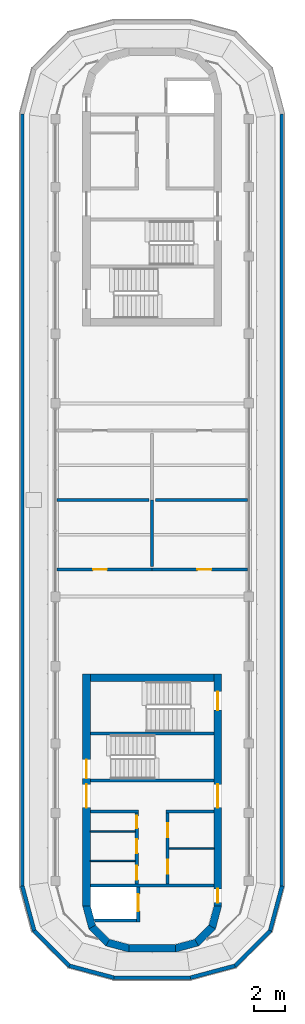
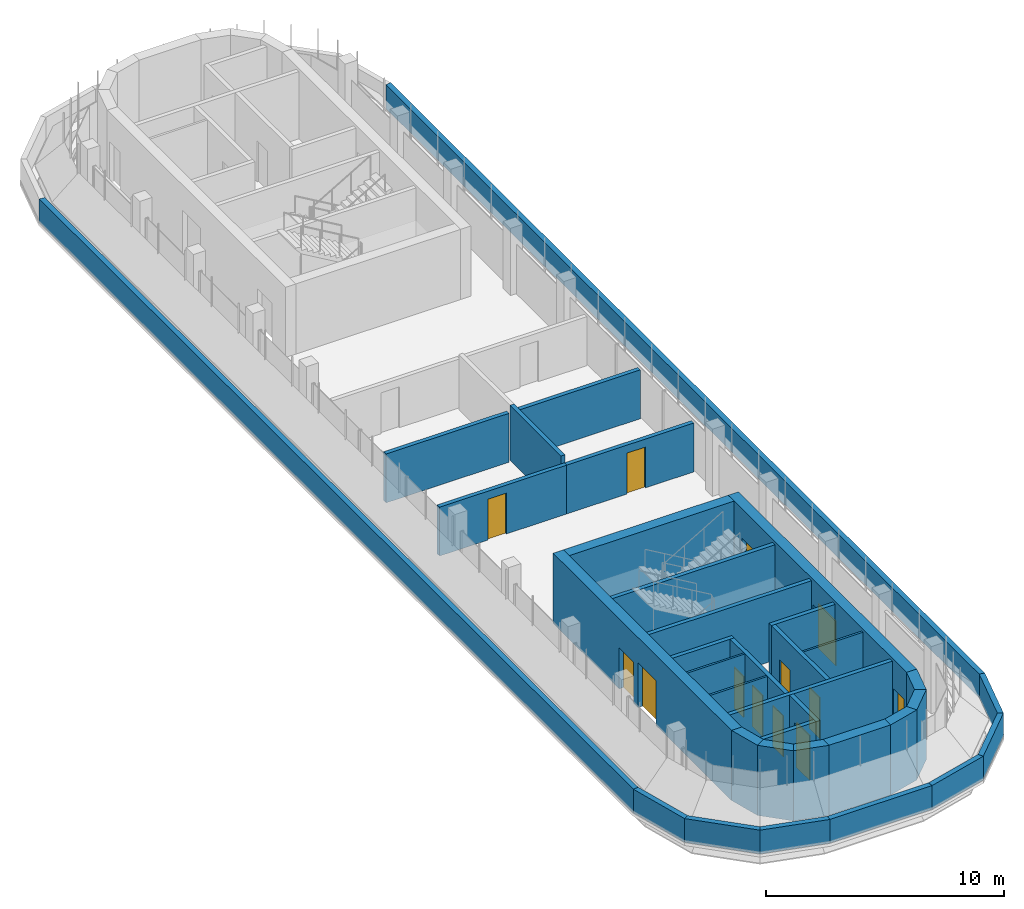
# One storey, part 8 of 12: 36 walls, 13 doors, 13 openings.
"""IFC4 building model written with IfcOpenShell, lengths in metres."""

from ifc_helpers import new_model, si_unit, direction, frame, frame_2d, origin, place, context, subcontext, project, spatial, polyline, rectangle, outline, extrude, material, layer, layer_set, type_object, element, fill, save


model = new_model("IFC4")

# Units and contexts
model_context = context("Model", 3, precision=1e-05, world=origin(), true_north=direction((0.0, 1.0)))
body_context = subcontext(model_context, "Body", "Model", "MODEL_VIEW")
ifc_project = project(units=[si_unit("LENGTHUNIT", "METRE"), si_unit("AREAUNIT", "SQUARE_METRE"), si_unit("VOLUMEUNIT", "CUBIC_METRE"), si_unit("PLANEANGLEUNIT", "RADIAN"), si_unit("MASSUNIT", "GRAM", prefix="KILO")], contexts=[model_context])

# Site, building, storey
site_placement = place(None, origin())
site = spatial("IfcSite", under=ifc_project, at=site_placement, CompositionType="ELEMENT")
building_placement = place(site_placement, origin())
building = spatial("IfcBuilding", under=site, at=building_placement, Name="Zarbagh Exchange Tower", CompositionType="ELEMENT")
storey_placement = place(building_placement, frame((0.0, 0.0, 309.60009765625)))
storey = spatial("IfcBuildingStorey", under=building, at=storey_placement, Name="L76", CompositionType="ELEMENT", Elevation=309.60009765625)

# Walls
ifc_material_1 = material(Name="Dense blockwork", Category="masonry")
ifc_layer_1 = layer(ifc_material_1, 0.10009765625)
ifc_layer_set_1 = layer_set([ifc_layer_1], Name="Core partition 100 mm blockwork")
wall_type_1 = type_object("IfcWallType", Name="Core partition 100 mm blockwork", PredefinedType="PARTITIONING", material=ifc_layer_set_1)
for number, where, z_axis, x_axis, name in (
    (1, (4.0, -22.550048828125, 0.0), (0.0, 0.0, 1.0), (-1.0, 0.0, 0.0), "South core partition wall CUT-W-580"),
    (2, (-1.10009765625, -23.35009765625, 0.0), (0.0, 0.0, 1.0), (-1.0, 0.0, 0.0), "South core partition wall CUT-E-500"),
    (3, (-1.10009765625, -21.449951171875, 0.0), (0.0, 0.0, 1.0), (-1.0, 0.0, 0.0), "South core partition wall CUT-E-690"),
):
    element("IfcWall", number, at=place(storey_placement, frame(where, z_axis=z_axis, x_axis=x_axis)), inside=storey, type_object=wall_type_1, Name=name, PredefinedType="PARTITIONING", context=body_context, shape_type="SweptSolid", body=[
        extrude(rectangle(XDim=2.89990234375, YDim=0.10009765625, at=frame_2d((1.449951171875, 0.0))), origin(), (0.0, 0.0, 1.0), 3.449951171875),
    ])

# Wall, opening, door
ifc_material_2 = material(Name="Concrete block partition", Category="concrete")
ifc_layer_2 = layer(ifc_material_2, 0.199951171875)
ifc_layer_set_2 = layer_set([ifc_layer_2], Name="Fire-rated block partition 200 EI 60")
wall_type_2 = type_object("IfcWallType", Name="Fire-rated block partition 200 EI 60", PredefinedType="PARTITIONING", material=ifc_layer_set_2)
wall_1_placement = place(storey_placement, frame((-6.169921875, -4.5, 0.0), z_axis=(0.0, 0.0, 1.0), x_axis=(1.0, 0.0, 0.0)))
wall_1 = element("IfcWall", 4, at=wall_1_placement, inside=storey, type_object=wall_type_2, Name="WL-L76-W003", PredefinedType="PARTITIONING", context=body_context, shape_type="SweptSolid", body=[
    extrude(rectangle(XDim=6.169921875, YDim=0.199951171875, at=frame_2d((3.0849609375, 0.0))), origin(), (0.0, 0.0, 1.0), 2.510498046875),
])
opening_1_placement = place(wall_1_placement, frame((2.344970703125, 0.0, 0.0)))
opening_1 = element("IfcOpeningElement", 5, at=opening_1_placement, cuts=wall_1, Name="Opening D03", PredefinedType="OPENING", context=body_context, shape_type="SweptSolid", body=[
    extrude(rectangle(XDim=0.89990234375, YDim=2.10009765625, at=frame_2d((0.449951171875, 1.050048828125))), frame((0.0, 0.10986328125, 0.0), z_axis=(0.0, -1.0, 0.0), x_axis=(1.0, 0.0, 0.0)), (0.0, 0.0, 1.0), 0.219970703125),
])
ifc_material_3 = material(Name="Steel door set", Category="steel")
door_type_1 = type_object("IfcDoorType", Name="Door single 900x2100 EI 60", OperationType="SINGLE_SWING_LEFT", PredefinedType="DOOR", material=ifc_material_3)
door_1_placement = place(opening_1_placement, origin())
door_1 = element("IfcDoor", 6, at=door_1_placement, inside=storey, type_object=door_type_1, Name="D03", OperationType="SINGLE_SWING_LEFT", OverallHeight=2.10009765625, OverallWidth=0.89990234375, PredefinedType="DOOR", context=body_context, shape_type="SweptSolid", body=[
    extrude(rectangle(XDim=0.89990234375, YDim=2.10009765625, at=frame_2d((0.449951171875, 1.050048828125))), frame((0.0, 0.02490234375, 0.0), z_axis=(0.0, -1.0, 0.0), x_axis=(1.0, 0.0, 0.0)), (0.0, 0.0, 1.0), 0.050048828125),
])
fill(opening_1, door_1)

wall_2_placement = place(storey_placement, frame((0.0, -4.5, 0.0), z_axis=(0.0, 0.0, 1.0), x_axis=(1.0, 0.0, 0.0)))
wall_2 = element("IfcWall", 7, at=wall_2_placement, inside=storey, type_object=wall_type_2, Name="WL-L76-W004", PredefinedType="PARTITIONING", context=body_context, shape_type="SweptSolid", body=[
    extrude(rectangle(XDim=6.169921875, YDim=0.199951171875, at=frame_2d((3.0849609375, 0.0))), origin(), (0.0, 0.0, 1.0), 2.510498046875),
])
opening_2_placement = place(wall_2_placement, frame((2.925048828125, 0.0, 0.0)))
opening_2 = element("IfcOpeningElement", 8, at=opening_2_placement, cuts=wall_2, Name="Opening D04", PredefinedType="OPENING", context=body_context, shape_type="SweptSolid", body=[
    extrude(rectangle(XDim=0.89990234375, YDim=2.10009765625, at=frame_2d((0.449951171875, 1.050048828125))), frame((0.0, 0.10986328125, 0.0), z_axis=(0.0, -1.0, 0.0), x_axis=(1.0, 0.0, 0.0)), (0.0, 0.0, 1.0), 0.219970703125),
])
door_2_placement = place(opening_2_placement, origin())
door_2 = element("IfcDoor", 9, at=door_2_placement, inside=storey, type_object=door_type_1, Name="D04", OperationType="SINGLE_SWING_LEFT", OverallHeight=2.10009765625, OverallWidth=0.89990234375, PredefinedType="DOOR", context=body_context, shape_type="SweptSolid", body=[
    extrude(rectangle(XDim=0.89990234375, YDim=2.10009765625, at=frame_2d((0.449951171875, 1.050048828125))), frame((0.0, 0.02490234375, 0.0), z_axis=(0.0, -1.0, 0.0), x_axis=(1.0, 0.0, 0.0)), (0.0, 0.0, 1.0), 0.050048828125),
])
fill(opening_2, door_2)

# Walls
for number, where, z_axis, x_axis, name in (
    (10, (-0.199951171875, 0.0, 0.0), (0.0, 0.0, 1.0), (-1.0, 0.0, 0.0), "WL-L76-W006"),
    (11, (6.169921875, 0.0, 0.0), (0.0, 0.0, 1.0), (-1.0, 0.0, 0.0), "WL-L76-W007"),
):
    element("IfcWall", number, at=place(storey_placement, frame(where, z_axis=z_axis, x_axis=x_axis)), inside=storey, type_object=wall_type_2, Name=name, PredefinedType="PARTITIONING", context=body_context, shape_type="SweptSolid", body=[
        extrude(rectangle(XDim=5.969970703125, YDim=0.199951171875, at=frame_2d((2.98486328125, 0.0))), origin(), (0.0, 0.0, 1.0), 2.510498046875),
    ])
wall_3_placement = place(storey_placement, frame((0.0, 0.0, 0.0), z_axis=(0.0, 0.0, 1.0), x_axis=(0.0, -1.0, 0.0)))
element("IfcWall", 12, at=wall_3_placement, inside=storey, type_object=wall_type_2, Name="WL-L76-W008", PredefinedType="PARTITIONING", context=body_context, shape_type="SweptSolid", body=[
    extrude(rectangle(XDim=4.300048828125, YDim=0.199951171875, at=frame_2d((2.14990234375, 0.0))), origin(), (0.0, 0.0, 1.0), 2.827880859375),
])
ifc_material_4 = material(Name="Concrete C40/50", Category="concrete")
ifc_layer_3 = layer(ifc_material_4, 0.25)
ifc_layer_set_3 = layer_set([ifc_layer_3], Name="Parapet wall, concrete C40/50")
wall_type_3 = type_object("IfcWallType", Name="Parapet wall, concrete C40/50", PredefinedType="PARAPET", material=ifc_layer_set_3)
wall_4_placement = place(storey_placement, origin())
element("IfcWall", 13, at=wall_4_placement, inside=storey, type_object=wall_type_3, Name="roof parapet", PredefinedType="PARAPET", context=body_context, shape_type="SweptSolid", body=[
    extrude(outline(polyline([(-2.484375, -31.030029296875), (-5.42138671875, -30.242919921875), (-5.2919921875, -30.018798828125), (-2.451416015625, -30.780029296875), (-2.484375, -31.030029296875)])), origin(), (0.0, 0.0, 1.0), 1.219970703125),
])
wall_5_placement = place(storey_placement, origin())
element("IfcWall", 14, at=wall_5_placement, inside=storey, type_object=wall_type_3, Name="roof parapet", PredefinedType="PARAPET", context=body_context, shape_type="SweptSolid", body=[
    extrude(outline(polyline([(-5.42138671875, -30.242919921875), (-7.742919921875, -27.92138671875), (-7.518798828125, -27.7919921875), (-5.2919921875, -30.018798828125), (-5.42138671875, -30.242919921875)])), origin(), (0.0, 0.0, 1.0), 1.219970703125),
])
wall_6_placement = place(storey_placement, origin())
element("IfcWall", 15, at=wall_6_placement, inside=storey, type_object=wall_type_3, Name="roof parapet", PredefinedType="PARAPET", context=body_context, shape_type="SweptSolid", body=[
    extrude(outline(polyline([(-7.742919921875, -27.92138671875), (-8.530029296875, -24.984375), (-8.280029296875, -24.951416015625), (-7.518798828125, -27.7919921875), (-7.742919921875, -27.92138671875)])), origin(), (0.0, 0.0, 1.0), 1.219970703125),
])
wall_7_placement = place(storey_placement, origin())
element("IfcWall", 16, at=wall_7_placement, inside=storey, type_object=wall_type_3, Name="roof parapet", PredefinedType="PARAPET", context=body_context, shape_type="SweptSolid", body=[
    extrude(outline(polyline([(-8.530029296875, -24.984375), (-8.530029296875, 24.984375), (-8.280029296875, 24.951416015625), (-8.280029296875, -24.951416015625), (-8.530029296875, -24.984375)])), origin(), (0.0, 0.0, 1.0), 1.219970703125),
])
wall_8_placement = place(storey_placement, origin())
element("IfcWall", 17, at=wall_8_placement, inside=storey, type_object=wall_type_3, Name="roof parapet", PredefinedType="PARAPET", context=body_context, shape_type="SweptSolid", body=[
    extrude(outline(polyline([(8.530029296875, 24.984375), (8.530029296875, -24.984375), (8.280029296875, -24.951416015625), (8.280029296875, 24.951416015625), (8.530029296875, 24.984375)])), origin(), (0.0, 0.0, 1.0), 1.219970703125),
])
wall_9_placement = place(storey_placement, origin())
element("IfcWall", 18, at=wall_9_placement, inside=storey, type_object=wall_type_3, Name="roof parapet", PredefinedType="PARAPET", context=body_context, shape_type="SweptSolid", body=[
    extrude(outline(polyline([(8.530029296875, -24.984375), (7.742919921875, -27.92138671875), (7.518798828125, -27.7919921875), (8.280029296875, -24.951416015625), (8.530029296875, -24.984375)])), origin(), (0.0, 0.0, 1.0), 1.219970703125),
])
wall_10_placement = place(storey_placement, origin())
element("IfcWall", 19, at=wall_10_placement, inside=storey, type_object=wall_type_3, Name="roof parapet", PredefinedType="PARAPET", context=body_context, shape_type="SweptSolid", body=[
    extrude(outline(polyline([(7.742919921875, -27.92138671875), (5.42138671875, -30.242919921875), (5.2919921875, -30.018798828125), (7.518798828125, -27.7919921875), (7.742919921875, -27.92138671875)])), origin(), (0.0, 0.0, 1.0), 1.219970703125),
])
wall_11_placement = place(storey_placement, origin())
element("IfcWall", 20, at=wall_11_placement, inside=storey, type_object=wall_type_3, Name="roof parapet", PredefinedType="PARAPET", context=body_context, shape_type="SweptSolid", body=[
    extrude(outline(polyline([(5.42138671875, -30.242919921875), (2.484375, -31.030029296875), (2.451416015625, -30.780029296875), (5.2919921875, -30.018798828125), (5.42138671875, -30.242919921875)])), origin(), (0.0, 0.0, 1.0), 1.219970703125),
])
wall_12_placement = place(storey_placement, origin())
element("IfcWall", 21, at=wall_12_placement, inside=storey, type_object=wall_type_3, Name="roof parapet", PredefinedType="PARAPET", context=body_context, shape_type="SweptSolid", body=[
    extrude(outline(polyline([(2.484375, -31.030029296875), (-2.484375, -31.030029296875), (-2.451416015625, -30.780029296875), (2.451416015625, -30.780029296875), (2.484375, -31.030029296875)])), origin(), (0.0, 0.0, 1.0), 1.219970703125),
])
ifc_layer_4 = layer(ifc_material_4, 0.5)
ifc_layer_set_4 = layer_set([ifc_layer_4], Name="RC core corner wall 500 C40/50")
wall_type_4 = type_object("IfcWallType", Name="RC core corner wall 500 C40/50", PredefinedType="SHEAR", material=ifc_layer_set_4)
wall_13_placement = place(storey_placement, origin())
element("IfcWall", 22, at=wall_13_placement, inside=storey, type_object=wall_type_4, Name="CW10 core S corner W", PredefinedType="SHEAR", context=body_context, shape_type="SweptSolid", body=[
    extrude(outline(polyline([(-4.5, -26.25), (-4.09814453125, -27.75), (-3.6650390625, -27.5), (-4.0, -26.25), (-4.5, -26.25)])), origin(), (0.0, 0.0, 1.0), 3.599853515625),
])
wall_14_placement = place(storey_placement, origin())
element("IfcWall", 23, at=wall_14_placement, inside=storey, type_object=wall_type_4, Name="CW10 core S corner W", PredefinedType="SHEAR", context=body_context, shape_type="SweptSolid", body=[
    extrude(outline(polyline([(-4.09814453125, -27.75), (-3.0, -28.84814453125), (-2.75, -28.4150390625), (-3.6650390625, -27.5), (-4.09814453125, -27.75)])), origin(), (0.0, 0.0, 1.0), 3.599853515625),
])
wall_15_placement = place(storey_placement, origin())
element("IfcWall", 24, at=wall_15_placement, inside=storey, type_object=wall_type_4, Name="CW10 core S corner W", PredefinedType="SHEAR", context=body_context, shape_type="SweptSolid", body=[
    extrude(outline(polyline([(-3.0, -28.84814453125), (-1.5, -29.25), (-1.5, -28.75), (-2.75, -28.4150390625), (-3.0, -28.84814453125)])), origin(), (0.0, 0.0, 1.0), 3.599853515625),
])
wall_16_placement = place(storey_placement, origin())
element("IfcWall", 25, at=wall_16_placement, inside=storey, type_object=wall_type_4, Name="CW10 core S corner E", PredefinedType="SHEAR", context=body_context, shape_type="SweptSolid", body=[
    extrude(outline(polyline([(4.5, -26.25), (4.09814453125, -27.75), (3.6650390625, -27.5), (4.0, -26.25), (4.5, -26.25)])), origin(), (0.0, 0.0, 1.0), 3.599853515625),
])
wall_17_placement = place(storey_placement, origin())
element("IfcWall", 26, at=wall_17_placement, inside=storey, type_object=wall_type_4, Name="CW10 core S corner E", PredefinedType="SHEAR", context=body_context, shape_type="SweptSolid", body=[
    extrude(outline(polyline([(4.09814453125, -27.75), (3.0, -28.84814453125), (2.75, -28.4150390625), (3.6650390625, -27.5), (4.09814453125, -27.75)])), origin(), (0.0, 0.0, 1.0), 3.599853515625),
])
wall_18_placement = place(storey_placement, origin())
element("IfcWall", 27, at=wall_18_placement, inside=storey, type_object=wall_type_4, Name="CW10 core S corner E", PredefinedType="SHEAR", context=body_context, shape_type="SweptSolid", body=[
    extrude(outline(polyline([(3.0, -28.84814453125), (1.5, -29.25), (1.5, -28.75), (2.75, -28.4150390625), (3.0, -28.84814453125)])), origin(), (0.0, 0.0, 1.0), 3.599853515625),
])

# Wall, openings, doors
ifc_layer_5 = layer(ifc_material_4, 0.5)
ifc_layer_set_5 = layer_set([ifc_layer_5], Name="RC core wall 500 C40/50")
wall_type_5 = type_object("IfcWallType", Name="RC core wall 500 C40/50", PredefinedType="SHEAR", material=ifc_layer_set_5)
wall_19_placement = place(storey_placement, frame((-4.25, -11.25, 0.0), z_axis=(0.0, 0.0, 1.0), x_axis=(0.0, -1.0, 0.0)))
wall_19 = element("IfcWall", 28, at=wall_19_placement, inside=storey, type_object=wall_type_5, Name="CW9 core S W", PredefinedType="SHEAR", context=body_context, shape_type="SweptSolid", body=[
    extrude(rectangle(XDim=15.0, YDim=0.5, at=frame_2d((7.5, 0.0))), origin(), (0.0, 0.0, 1.0), 3.599853515625),
])
opening_3_placement = place(wall_19_placement, frame((7.14990234375, 0.0, 0.0)))
opening_3 = element("IfcOpeningElement", 29, at=opening_3_placement, cuts=wall_19, Name="Opening CD1-1500", PredefinedType="OPENING", context=body_context, shape_type="SweptSolid", body=[
    extrude(rectangle(XDim=1.5, YDim=2.300048828125, at=frame_2d((0.75, 1.14990234375))), frame((0.0, 0.260009765625, 0.0), z_axis=(0.0, -1.0, 0.0), x_axis=(1.0, 0.0, 0.0)), (0.0, 0.0, 1.0), 0.52001953125),
])
opening_4_placement = place(wall_19_placement, frame((5.550048828125, 0.0, 0.0)))
opening_4 = element("IfcOpeningElement", 30, at=opening_4_placement, cuts=wall_19, Name="Opening SD1-1200", PredefinedType="OPENING", context=body_context, shape_type="SweptSolid", body=[
    extrude(rectangle(XDim=1.199951171875, YDim=2.10009765625, at=frame_2d((0.60009765625, 1.050048828125))), frame((0.0, 0.260009765625, 0.0), z_axis=(0.0, -1.0, 0.0), x_axis=(1.0, 0.0, 0.0)), (0.0, 0.0, 1.0), 0.52001953125),
])
ifc_material_5 = material(Name="Steel", Category="steel")
door_type_2 = type_object("IfcDoorType", Name="Exit stair door 1200 x 2100", OperationType="NOTDEFINED", PredefinedType="DOOR", material=ifc_material_5)
door_3_placement = place(opening_4_placement, origin())
door_3 = element("IfcDoor", 31, at=door_3_placement, inside=storey, type_object=door_type_2, Name="South core stair door ST1", OperationType="SINGLE_SWING_LEFT", OverallHeight=2.10009765625, OverallWidth=1.199951171875, PredefinedType="DOOR", context=body_context, shape_type="SweptSolid", body=[
    extrude(rectangle(XDim=1.199951171875, YDim=2.10009765625, at=frame_2d((0.60009765625, 1.050048828125))), frame((0.0, 0.02490234375, 0.0), z_axis=(0.0, -1.0, 0.0), x_axis=(1.0, 0.0, 0.0)), (0.0, 0.0, 1.0), 0.050048828125),
])
fill(opening_4, door_3)
door_type_3 = type_object("IfcDoorType", Name="Lift lobby double door 1500 x 2300", OperationType="NOTDEFINED", PredefinedType="DOOR", material=ifc_material_5)
door_4_placement = place(opening_3_placement, origin())
door_4 = element("IfcDoor", 32, at=door_4_placement, inside=storey, type_object=door_type_3, Name="South core lift lobby door LOBBY-E", OperationType="DOUBLE_DOOR_SINGLE_SWING", OverallHeight=2.300048828125, OverallWidth=1.5, PredefinedType="DOOR", context=body_context, shape_type="SweptSolid", body=[
    extrude(rectangle(XDim=1.5, YDim=2.300048828125, at=frame_2d((0.75, 1.14990234375))), frame((0.0, 0.02490234375, 0.0), z_axis=(0.0, -1.0, 0.0), x_axis=(1.0, 0.0, 0.0)), (0.0, 0.0, 1.0), 0.050048828125),
])
fill(opening_3, door_4)

wall_20_placement = place(storey_placement, frame((4.25, -11.25, 0.0), z_axis=(0.0, 0.0, 1.0), x_axis=(0.0, -1.0, 0.0)))
wall_20 = element("IfcWall", 33, at=wall_20_placement, inside=storey, type_object=wall_type_5, Name="CW9 core S E", PredefinedType="SHEAR", context=body_context, shape_type="SweptSolid", body=[
    extrude(rectangle(XDim=15.0, YDim=0.5, at=frame_2d((7.5, 0.0))), origin(), (0.0, 0.0, 1.0), 3.599853515625),
])
opening_5_placement = place(wall_20_placement, frame((7.14990234375, 0.0, 0.0)))
opening_5 = element("IfcOpeningElement", 34, at=opening_5_placement, cuts=wall_20, Name="Opening CD1-1500", PredefinedType="OPENING", context=body_context, shape_type="SweptSolid", body=[
    extrude(rectangle(XDim=1.5, YDim=2.300048828125, at=frame_2d((0.75, 1.14990234375))), frame((0.0, 0.260009765625, 0.0), z_axis=(0.0, -1.0, 0.0), x_axis=(1.0, 0.0, 0.0)), (0.0, 0.0, 1.0), 0.52001953125),
])
opening_6_placement = place(wall_20_placement, frame((13.89990234375, 0.0, 0.0)))
opening_6 = element("IfcOpeningElement", 35, at=opening_6_placement, cuts=wall_20, Name="Opening CD2-900", PredefinedType="OPENING", context=body_context, shape_type="SweptSolid", body=[
    extrude(rectangle(XDim=0.89990234375, YDim=2.10009765625, at=frame_2d((0.449951171875, 1.050048828125))), frame((0.0, 0.260009765625, 0.0), z_axis=(0.0, -1.0, 0.0), x_axis=(1.0, 0.0, 0.0)), (0.0, 0.0, 1.0), 0.52001953125),
])
opening_7_placement = place(wall_20_placement, frame((1.14990234375, 0.0, 0.0)))
opening_7 = element("IfcOpeningElement", 36, at=opening_7_placement, cuts=wall_20, Name="Opening SD1-1200", PredefinedType="OPENING", context=body_context, shape_type="SweptSolid", body=[
    extrude(rectangle(XDim=1.199951171875, YDim=2.10009765625, at=frame_2d((0.60009765625, 1.050048828125))), frame((0.0, 0.260009765625, 0.0), z_axis=(0.0, -1.0, 0.0), x_axis=(1.0, 0.0, 0.0)), (0.0, 0.0, 1.0), 0.52001953125),
])
door_5_placement = place(opening_7_placement, origin())
door_5 = element("IfcDoor", 37, at=door_5_placement, inside=storey, type_object=door_type_2, Name="South core stair door ST2", OperationType="SINGLE_SWING_LEFT", OverallHeight=2.10009765625, OverallWidth=1.199951171875, PredefinedType="DOOR", context=body_context, shape_type="SweptSolid", body=[
    extrude(rectangle(XDim=1.199951171875, YDim=2.10009765625, at=frame_2d((0.60009765625, 1.050048828125))), frame((0.0, 0.02490234375, 0.0), z_axis=(0.0, -1.0, 0.0), x_axis=(1.0, 0.0, 0.0)), (0.0, 0.0, 1.0), 0.050048828125),
])
fill(opening_7, door_5)
door_type_4 = type_object("IfcDoorType", Name="Firefighting lobby door 900 x 2100", OperationType="NOTDEFINED", PredefinedType="DOOR", material=ifc_material_5)
door_6_placement = place(opening_6_placement, origin())
door_6 = element("IfcDoor", 38, at=door_6_placement, inside=storey, type_object=door_type_4, Name="South core firefighting lobby door FF-W", OperationType="SINGLE_SWING_RIGHT", OverallHeight=2.10009765625, OverallWidth=0.89990234375, PredefinedType="DOOR", context=body_context, shape_type="SweptSolid", body=[
    extrude(rectangle(XDim=0.89990234375, YDim=2.10009765625, at=frame_2d((0.449951171875, 1.050048828125))), frame((0.0, 0.02490234375, 0.0), z_axis=(0.0, -1.0, 0.0), x_axis=(1.0, 0.0, 0.0)), (0.0, 0.0, 1.0), 0.050048828125),
])
fill(opening_6, door_6)
door_7_placement = place(opening_5_placement, origin())
door_7 = element("IfcDoor", 39, at=door_7_placement, inside=storey, type_object=door_type_3, Name="South core lift lobby door LOBBY-W", OperationType="DOUBLE_DOOR_SINGLE_SWING", OverallHeight=2.300048828125, OverallWidth=1.5, PredefinedType="DOOR", context=body_context, shape_type="SweptSolid", body=[
    extrude(rectangle(XDim=1.5, YDim=2.300048828125, at=frame_2d((0.75, 1.14990234375))), frame((0.0, 0.02490234375, 0.0), z_axis=(0.0, -1.0, 0.0), x_axis=(1.0, 0.0, 0.0)), (0.0, 0.0, 1.0), 0.050048828125),
])
fill(opening_5, door_7)

# Walls
wall_21_placement = place(storey_placement, frame((-4.0, -11.5, 0.0), z_axis=(0.0, 0.0, 1.0), x_axis=(1.0, 0.0, 0.0)))
element("IfcWall", 40, at=wall_21_placement, inside=storey, type_object=wall_type_5, Name="CW9 core S inner end", PredefinedType="SHEAR", context=body_context, shape_type="SweptSolid", body=[
    extrude(rectangle(XDim=8.0, YDim=0.5, at=frame_2d((4.0, 0.0))), origin(), (0.0, 0.0, 1.0), 3.599853515625),
])
wall_22_placement = place(storey_placement, frame((-1.5, -29.0, 0.0), z_axis=(0.0, 0.0, 1.0), x_axis=(1.0, 0.0, 0.0)))
element("IfcWall", 41, at=wall_22_placement, inside=storey, type_object=wall_type_5, Name="CW9 core S outer end", PredefinedType="SHEAR", context=body_context, shape_type="SweptSolid", body=[
    extrude(rectangle(XDim=3.0, YDim=0.5, at=frame_2d((1.5, 0.0))), origin(), (0.0, 0.0, 1.0), 3.599853515625),
])
ifc_layer_6 = layer(ifc_material_1, 0.199951171875)
ifc_layer_set_6 = layer_set([ifc_layer_6], Name="Shaft wall 200 mm blockwork")
wall_type_6 = type_object("IfcWallType", Name="Shaft wall 200 mm blockwork", PredefinedType="PARTITIONING", material=ifc_layer_set_6)
wall_23_placement = place(storey_placement, frame((4.0, -20.14990234375, 0.0), z_axis=(0.0, 0.0, 1.0), x_axis=(-1.0, 0.0, 0.0)))
element("IfcWall", 42, at=wall_23_placement, inside=storey, type_object=wall_type_6, Name="South core shaft wall AB-W", PredefinedType="PARTITIONING", context=body_context, shape_type="SweptSolid", body=[
    extrude(rectangle(XDim=3.10009765625, YDim=0.199951171875, at=frame_2d((1.550048828125, 0.0))), origin(), (0.0, 0.0, 1.0), 3.449951171875),
])

# Wall, openings, doors
wall_24_placement = place(storey_placement, frame((1.0, -24.85009765625, 0.0), z_axis=(0.0, 0.0, 1.0), x_axis=(0.0, 1.0, 0.0)))
wall_24 = element("IfcWall", 43, at=wall_24_placement, inside=storey, type_object=wall_type_6, Name="South core shaft wall LW-W", PredefinedType="PARTITIONING", context=body_context, shape_type="SweptSolid", body=[
    extrude(rectangle(XDim=4.60009765625, YDim=0.199951171875, at=frame_2d((2.300048828125, 0.0))), origin(), (0.0, 0.0, 1.0), 3.449951171875),
])
opening_8_placement = place(wall_24_placement, frame((0.675048828125, 0.0, 0.0)))
opening_8 = element("IfcOpeningElement", 44, at=opening_8_placement, cuts=wall_24, Name="Opening CD3-900", PredefinedType="OPENING", context=body_context, shape_type="SweptSolid", body=[
    extrude(rectangle(XDim=0.89990234375, YDim=2.10009765625, at=frame_2d((0.449951171875, 1.050048828125))), frame((0.0, 0.10986328125, 0.0), z_axis=(0.0, -1.0, 0.0), x_axis=(1.0, 0.0, 0.0)), (0.0, 0.0, 1.0), 0.219970703125),
])
opening_9_placement = place(wall_24_placement, frame((3.02490234375, 0.0, 0.0)))
opening_9 = element("IfcOpeningElement", 45, at=opening_9_placement, cuts=wall_24, Name="Opening CD3-900", PredefinedType="OPENING", context=body_context, shape_type="SweptSolid", body=[
    extrude(rectangle(XDim=0.89990234375, YDim=2.10009765625, at=frame_2d((0.449951171875, 1.050048828125))), frame((0.0, 0.10986328125, 0.0), z_axis=(0.0, -1.0, 0.0), x_axis=(1.0, 0.0, 0.0)), (0.0, 0.0, 1.0), 0.219970703125),
])
door_type_5 = type_object("IfcDoorType", Name="Core room door 900 x 2100", OperationType="NOTDEFINED", PredefinedType="DOOR", material=ifc_material_5)
door_8_placement = place(opening_8_placement, origin())
door_8 = element("IfcDoor", 46, at=door_8_placement, inside=storey, type_object=door_type_5, Name="South core Plant room door RD-W-0", OperationType="SINGLE_SWING_RIGHT", OverallHeight=2.10009765625, OverallWidth=0.89990234375, PredefinedType="DOOR", context=body_context, shape_type="SweptSolid", body=[
    extrude(rectangle(XDim=0.89990234375, YDim=2.10009765625, at=frame_2d((0.449951171875, 1.050048828125))), frame((0.0, 0.02490234375, 0.0), z_axis=(0.0, -1.0, 0.0), x_axis=(1.0, 0.0, 0.0)), (0.0, 0.0, 1.0), 0.050048828125),
])
fill(opening_8, door_8)
door_9_placement = place(opening_9_placement, origin())
door_9 = element("IfcDoor", 47, at=door_9_placement, inside=storey, type_object=door_type_5, Name="South core Switch room door RD-W-1", OperationType="SINGLE_SWING_LEFT", OverallHeight=2.10009765625, OverallWidth=0.89990234375, PredefinedType="DOOR", context=body_context, shape_type="SweptSolid", body=[
    extrude(rectangle(XDim=0.89990234375, YDim=2.10009765625, at=frame_2d((0.449951171875, 1.050048828125))), frame((0.0, 0.02490234375, 0.0), z_axis=(0.0, -1.0, 0.0), x_axis=(1.0, 0.0, 0.0)), (0.0, 0.0, 1.0), 0.050048828125),
])
fill(opening_9, door_9)

# Wall
wall_25_placement = place(storey_placement, frame((-0.89990234375, -20.14990234375, 0.0), z_axis=(0.0, 0.0, 1.0), x_axis=(-1.0, 0.0, 0.0)))
element("IfcWall", 48, at=wall_25_placement, inside=storey, type_object=wall_type_6, Name="South core shaft wall AB-E", PredefinedType="PARTITIONING", context=body_context, shape_type="SweptSolid", body=[
    extrude(rectangle(XDim=3.10009765625, YDim=0.199951171875, at=frame_2d((1.550048828125, 0.0))), origin(), (0.0, 0.0, 1.0), 3.449951171875),
])

# Wall, openings, doors
wall_26_placement = place(storey_placement, frame((-1.0, -24.85009765625, 0.0), z_axis=(0.0, 0.0, 1.0), x_axis=(0.0, 1.0, 0.0)))
wall_26 = element("IfcWall", 49, at=wall_26_placement, inside=storey, type_object=wall_type_6, Name="South core shaft wall LW-E", PredefinedType="PARTITIONING", context=body_context, shape_type="SweptSolid", body=[
    extrude(rectangle(XDim=4.60009765625, YDim=0.199951171875, at=frame_2d((2.300048828125, 0.0))), origin(), (0.0, 0.0, 1.0), 3.449951171875),
])
opening_10_placement = place(wall_26_placement, frame((0.27490234375, 0.0, 0.0)))
opening_10 = element("IfcOpeningElement", 50, at=opening_10_placement, cuts=wall_26, Name="Opening CD3-900", PredefinedType="OPENING", context=body_context, shape_type="SweptSolid", body=[
    extrude(rectangle(XDim=0.89990234375, YDim=2.10009765625, at=frame_2d((0.449951171875, 1.050048828125))), frame((0.0, 0.10986328125, 0.0), z_axis=(0.0, -1.0, 0.0), x_axis=(1.0, 0.0, 0.0)), (0.0, 0.0, 1.0), 0.219970703125),
])
opening_11_placement = place(wall_26_placement, frame((2.0, 0.0, 0.0)))
opening_11 = element("IfcOpeningElement", 51, at=opening_11_placement, cuts=wall_26, Name="Opening CD3-900", PredefinedType="OPENING", context=body_context, shape_type="SweptSolid", body=[
    extrude(rectangle(XDim=0.89990234375, YDim=2.10009765625, at=frame_2d((0.449951171875, 1.050048828125))), frame((0.0, 0.10986328125, 0.0), z_axis=(0.0, -1.0, 0.0), x_axis=(1.0, 0.0, 0.0)), (0.0, 0.0, 1.0), 0.219970703125),
])
opening_12_placement = place(wall_26_placement, frame((3.625, 0.0, 0.0)))
opening_12 = element("IfcOpeningElement", 52, at=opening_12_placement, cuts=wall_26, Name="Opening CD3-800", PredefinedType="OPENING", context=body_context, shape_type="SweptSolid", body=[
    extrude(rectangle(XDim=0.800048828125, YDim=2.10009765625, at=frame_2d((0.39990234375, 1.050048828125))), frame((0.0, 0.10986328125, 0.0), z_axis=(0.0, -1.0, 0.0), x_axis=(1.0, 0.0, 0.0)), (0.0, 0.0, 1.0), 0.219970703125),
])
door_type_6 = type_object("IfcDoorType", Name="Core room door 800 x 2100", OperationType="NOTDEFINED", PredefinedType="DOOR", material=ifc_material_5)
door_10_placement = place(opening_12_placement, origin())
door_10 = element("IfcDoor", 53, at=door_10_placement, inside=storey, type_object=door_type_6, Name="South core Control room door RD-E-2", OperationType="SINGLE_SWING_LEFT", OverallHeight=2.10009765625, OverallWidth=0.800048828125, PredefinedType="DOOR", context=body_context, shape_type="SweptSolid", body=[
    extrude(rectangle(XDim=0.800048828125, YDim=2.10009765625, at=frame_2d((0.39990234375, 1.050048828125))), frame((0.0, 0.02490234375, 0.0), z_axis=(0.0, -1.0, 0.0), x_axis=(1.0, 0.0, 0.0)), (0.0, 0.0, 1.0), 0.050048828125),
])
fill(opening_12, door_10)
door_11_placement = place(opening_10_placement, origin())
door_11 = element("IfcDoor", 54, at=door_11_placement, inside=storey, type_object=door_type_5, Name="South core Mechanical store door RD-E-0", OperationType="SINGLE_SWING_RIGHT", OverallHeight=2.10009765625, OverallWidth=0.89990234375, PredefinedType="DOOR", context=body_context, shape_type="SweptSolid", body=[
    extrude(rectangle(XDim=0.89990234375, YDim=2.10009765625, at=frame_2d((0.449951171875, 1.050048828125))), frame((0.0, 0.02490234375, 0.0), z_axis=(0.0, -1.0, 0.0), x_axis=(1.0, 0.0, 0.0)), (0.0, 0.0, 1.0), 0.050048828125),
])
fill(opening_10, door_11)
door_12_placement = place(opening_11_placement, origin())
door_12 = element("IfcDoor", 55, at=door_12_placement, inside=storey, type_object=door_type_5, Name="South core Plant room door RD-E-1", OperationType="SINGLE_SWING_RIGHT", OverallHeight=2.10009765625, OverallWidth=0.89990234375, PredefinedType="DOOR", context=body_context, shape_type="SweptSolid", body=[
    extrude(rectangle(XDim=0.89990234375, YDim=2.10009765625, at=frame_2d((0.449951171875, 1.050048828125))), frame((0.0, 0.02490234375, 0.0), z_axis=(0.0, -1.0, 0.0), x_axis=(1.0, 0.0, 0.0)), (0.0, 0.0, 1.0), 0.050048828125),
])
fill(opening_11, door_12)

# Wall
ifc_layer_7 = layer(ifc_material_4, 0.199951171875)
ifc_layer_set_7 = layer_set([ifc_layer_7], Name="Stair enclosure wall 200 mm RC C40/50")
wall_type_7 = type_object("IfcWallType", Name="Stair enclosure wall 200 mm RC C40/50", PredefinedType="SHEAR", material=ifc_layer_set_7)
wall_27_placement = place(storey_placement, frame((4.0, -24.949951171875, 0.0), z_axis=(0.0, 0.0, 1.0), x_axis=(-1.0, 0.0, 0.0)))
element("IfcWall", 56, at=wall_27_placement, inside=storey, type_object=wall_type_7, Name="South core lift shaft wall FFA", PredefinedType="SHEAR", context=body_context, shape_type="SweptSolid", body=[
    extrude(rectangle(XDim=8.0, YDim=0.199951171875, at=frame_2d((4.0, 0.0))), origin(), (0.0, 0.0, 1.0), 3.449951171875),
])

# Wall, opening, door
wall_28_placement = place(storey_placement, frame((-0.89990234375, -27.300048828125, 0.0), z_axis=(0.0, 0.0, 1.0), x_axis=(0.0, 1.0, 0.0)))
wall_28 = element("IfcWall", 57, at=wall_28_placement, inside=storey, type_object=wall_type_7, Name="South core lift shaft wall FFL", PredefinedType="SHEAR", context=body_context, shape_type="SweptSolid", body=[
    extrude(rectangle(XDim=2.25, YDim=0.199951171875, at=frame_2d((1.125, 0.0))), origin(), (0.0, 0.0, 1.0), 3.449951171875),
])
opening_13_placement = place(wall_28_placement, frame((0.699951171875, 0.0, 0.0)))
opening_13 = element("IfcOpeningElement", 58, at=opening_13_placement, cuts=wall_28, Name="Opening LD-1100", PredefinedType="OPENING", context=body_context, shape_type="SweptSolid", body=[
    extrude(rectangle(XDim=1.10009765625, YDim=2.300048828125, at=frame_2d((0.550048828125, 1.14990234375))), frame((0.0, 0.10986328125, 0.0), z_axis=(0.0, -1.0, 0.0), x_axis=(1.0, 0.0, 0.0)), (0.0, 0.0, 1.0), 0.219970703125),
])
ifc_material_6 = material(Name="Stainless steel", Category="steel")
door_type_7 = type_object("IfcDoorType", Name="Lift landing door 1100 x 2300", OperationType="NOTDEFINED", PredefinedType="DOOR", material=ifc_material_6)
door_13_placement = place(opening_13_placement, origin())
door_13 = element("IfcDoor", 59, at=door_13_placement, inside=storey, type_object=door_type_7, Name="South core lift landing door LD-F", OperationType="DOUBLE_DOOR_SLIDING", OverallHeight=2.300048828125, OverallWidth=1.10009765625, PredefinedType="DOOR", context=body_context, shape_type="SweptSolid", body=[
    extrude(rectangle(XDim=1.10009765625, YDim=2.300048828125, at=frame_2d((0.550048828125, 1.14990234375))), frame((0.0, 0.02490234375, 0.0), z_axis=(0.0, -1.0, 0.0), x_axis=(1.0, 0.0, 0.0)), (0.0, 0.0, 1.0), 0.050048828125),
])
fill(opening_13, door_13)

# Walls
wall_29_placement = place(storey_placement, origin())
element("IfcWall", 60, at=wall_29_placement, inside=storey, type_object=wall_type_7, Name="South core lift shaft wall FFX", PredefinedType="SHEAR", context=body_context, shape_type="SweptSolid", body=[
    extrude(outline(polyline([(-1.0, -27.10009765625), (-3.754638671875, -27.10009765625), (-3.700927734375, -27.300048828125), (-1.0, -27.300048828125), (-1.0, -27.10009765625)])), origin(), (0.0, 0.0, 1.0), 3.449951171875),
])
for number, where, z_axis, x_axis, name in (
    (61, (4.0, -18.14990234375, 0.0), (0.0, 0.0, 1.0), (-1.0, 0.0, 0.0), "South core stair wall BS"),
    (62, (4.0, -15.10009765625, 0.0), (0.0, 0.0, 1.0), (-1.0, 0.0, 0.0), "South core stair wall ST12"),
):
    element("IfcWall", number, at=place(storey_placement, frame(where, z_axis=z_axis, x_axis=x_axis)), inside=storey, type_object=wall_type_7, Name=name, PredefinedType="SHEAR", context=body_context, shape_type="SweptSolid", body=[
        extrude(rectangle(XDim=8.0, YDim=0.199951171875, at=frame_2d((4.0, 0.0))), origin(), (0.0, 0.0, 1.0), 3.449951171875),
    ])

save(model, "model.ifc")
